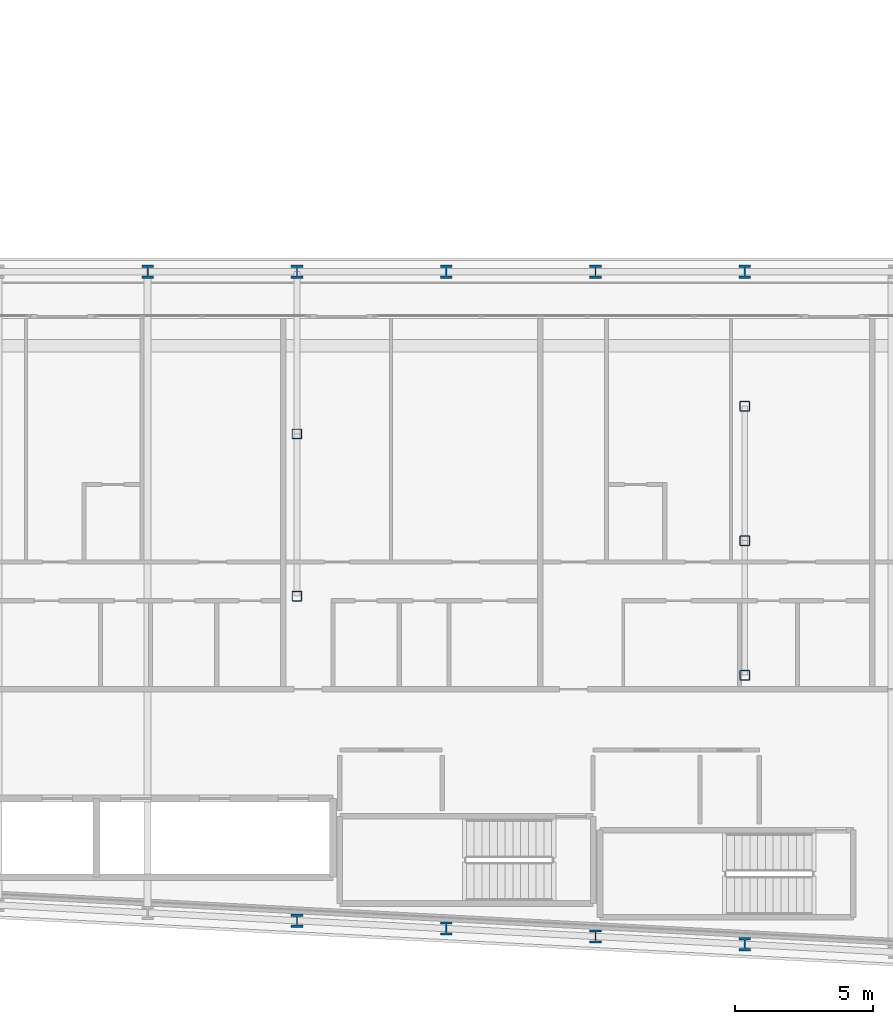
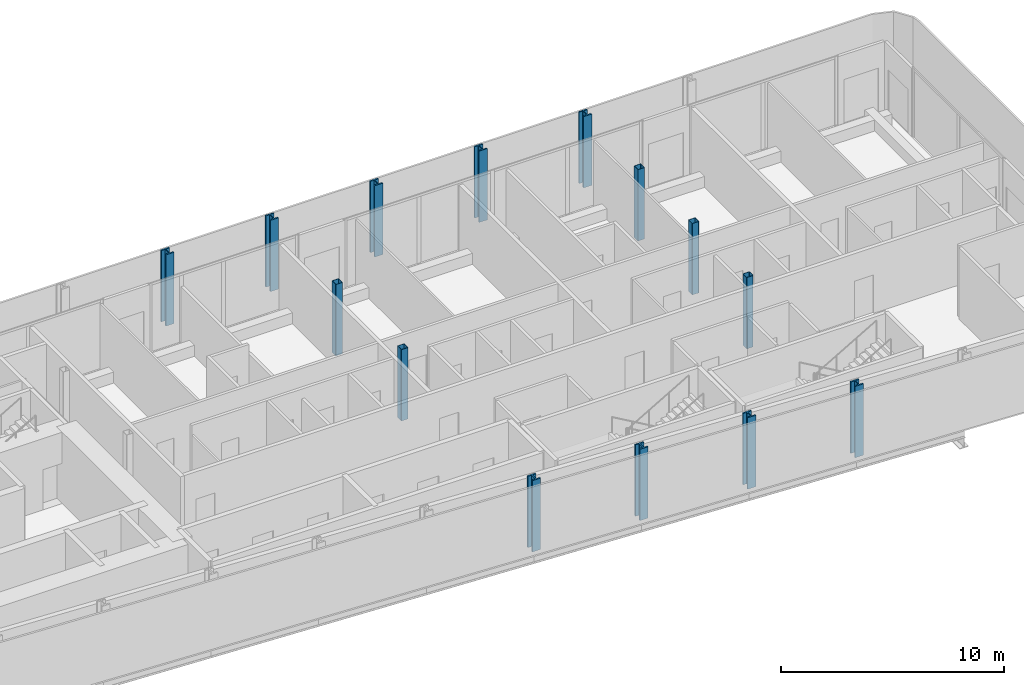
# One storey, part 2 of 27: 14 columns.
"""IFC4 building model written with IfcOpenShell, lengths in metres."""

from ifc_helpers import new_model, si_unit, direction, frame, origin, origin_2d, place, context, subcontext, project, spatial, hollow_rectangle, i_section, extrude, material, material_profile, profile_set, type_object, element, save


model = new_model("IFC4")

# Units and contexts
model_context = context("Model", 3, precision=1e-05, world=origin(), true_north=direction((0.0, 1.0)))
body_context = subcontext(model_context, "Body", "Model", "MODEL_VIEW")
ifc_project = project(units=[si_unit("LENGTHUNIT", "METRE"), si_unit("AREAUNIT", "SQUARE_METRE"), si_unit("VOLUMEUNIT", "CUBIC_METRE"), si_unit("PLANEANGLEUNIT", "RADIAN"), si_unit("MASSUNIT", "GRAM", prefix="KILO")], contexts=[model_context])

# Site, building, storey
site_placement = place(None, origin())
site = spatial("IfcSite", under=ifc_project, at=site_placement, CompositionType="ELEMENT")
building_placement = place(site_placement, origin())
building = spatial("IfcBuilding", under=site, at=building_placement, Name="Kheshtan School and Residences Tower", CompositionType="ELEMENT")
storey_placement = place(building_placement, frame((0.0, 0.0, 53.89990234375)))
storey = spatial("IfcBuildingStorey", under=building, at=storey_placement, Name="L12", CompositionType="ELEMENT", Elevation=53.89990234375)

# Columns
ifc_material_1 = material(Name="Steel ASTM A992 Grade 50", Category="steel")
ifc_material_profile_1 = material_profile(ifc_material_1, i_section(OverallWidth=0.424072265625, OverallDepth=0.47412109375, WebThickness=0.047607421875, FlangeThickness=0.0771484375, FilletRadius=0.01416015625, at=origin_2d()), Name="W360x634")
ifc_profile_set_1 = profile_set([ifc_material_profile_1], Name="Steel ASTM A992 Grade 50")
column_type_1 = type_object("IfcColumnType", Name="Column C1 W360x634 ASTM A992 Grade 50", PredefinedType="COLUMN", material=ifc_profile_set_1)
for number, where, z_axis, x_axis, name in (
    (1, (85.39990234375, 21.27392578125, 0.0), (0.0, 0.0, 1.0), (1.0, 0.0, 0.0), "Column C008"),
    (2, (80.0, 21.55810546875, 0.0), (0.0, 0.0, 1.0), (1.0, 0.0, 0.0), "Column C012"),
    (3, (74.60009765625, 21.843017578125, 0.0), (0.0, 0.0, 1.0), (1.0, 0.0, 0.0), "Column C013"),
    (4, (69.199951171875, 22.126953125, 0.0), (0.0, 0.0, 1.0), (1.0, 0.0, 0.0), "Column C014"),
    (5, (63.800048828125, 45.60009765625, 0.0), (0.0, 0.0, 1.0), (1.0, 0.0, 0.0), "Column C063"),
    (6, (69.199951171875, 45.60009765625, 0.0), (0.0, 0.0, 1.0), (1.0, 0.0, 0.0), "Column C064"),
    (7, (74.60009765625, 45.60009765625, 0.0), (0.0, 0.0, 1.0), (1.0, 0.0, 0.0), "Column C065"),
    (8, (80.0, 45.60009765625, 0.0), (0.0, 0.0, 1.0), (1.0, 0.0, 0.0), "Column C066"),
    (9, (85.39990234375, 45.60009765625, 0.0), (0.0, 0.0, 1.0), (1.0, 0.0, 0.0), "Column C067"),
):
    element("IfcColumn", number, at=place(storey_placement, frame(where, z_axis=z_axis, x_axis=x_axis)), inside=storey, type_object=column_type_1, Name=name, PredefinedType="COLUMN", context=body_context, shape_type="SweptSolid", body=[
        extrude(i_section(OverallWidth=0.424072265625, OverallDepth=0.47412109375, WebThickness=0.047607421875, FlangeThickness=0.0771484375, FilletRadius=0.01416015625, at=origin_2d()), origin(), (0.0, 0.0, 1.0), 3.900146484375),
    ])
ifc_material_2 = material(Name="Steel ASTM A500 Grade C", Category="steel")
ifc_material_profile_2 = material_profile(ifc_material_2, hollow_rectangle(XDim=0.35595703125, YDim=0.35595703125, WallThickness=0.015869140625, InnerFilletRadius=0.015869140625, OuterFilletRadius=0.03173828125, at=origin_2d()), Name="HSS 356x356x15.9")
ifc_profile_set_2 = profile_set([ifc_material_profile_2], Name="Steel ASTM A500 Grade C")
column_type_2 = type_object("IfcColumnType", Name="Column IC1 HSS 356x356x15.9 ASTM A500 Grade C", PredefinedType="COLUMN", material=ifc_profile_set_2)
for number, where, z_axis, x_axis, name in (
    (10, (85.39990234375, 31.0048828125, 0.0), (0.0, 0.0, 1.0), (1.0, 0.0, 0.0), "Column C049"),
    (11, (69.199951171875, 33.863037109375, 0.0), (0.0, 0.0, 1.0), (1.0, 0.0, 0.0), "Column C050"),
    (12, (85.39990234375, 35.8701171875, 0.0), (0.0, 0.0, 1.0), (1.0, 0.0, 0.0), "Column C053"),
    (13, (69.199951171875, 39.73193359375, 0.0), (0.0, 0.0, 1.0), (1.0, 0.0, 0.0), "Column C054"),
    (14, (85.39990234375, 40.735107421875, 0.0), (0.0, 0.0, 1.0), (1.0, 0.0, 0.0), "Column C057"),
):
    element("IfcColumn", number, at=place(storey_placement, frame(where, z_axis=z_axis, x_axis=x_axis)), inside=storey, type_object=column_type_2, Name=name, PredefinedType="COLUMN", context=body_context, shape_type="SweptSolid", body=[
        extrude(hollow_rectangle(XDim=0.35595703125, YDim=0.35595703125, WallThickness=0.015869140625, InnerFilletRadius=0.015869140625, OuterFilletRadius=0.03173828125, at=origin_2d()), origin(), (0.0, 0.0, 1.0), 3.900146484375),
    ])

save(model, "model.ifc")
